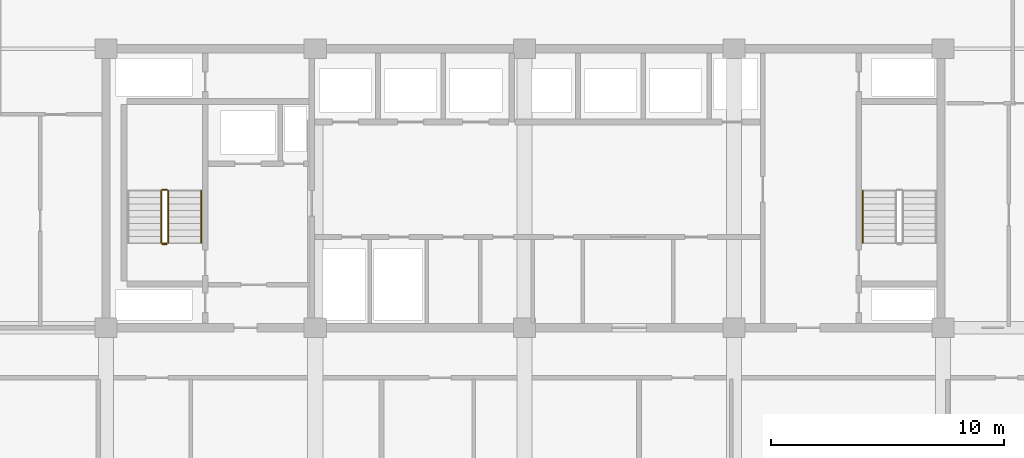
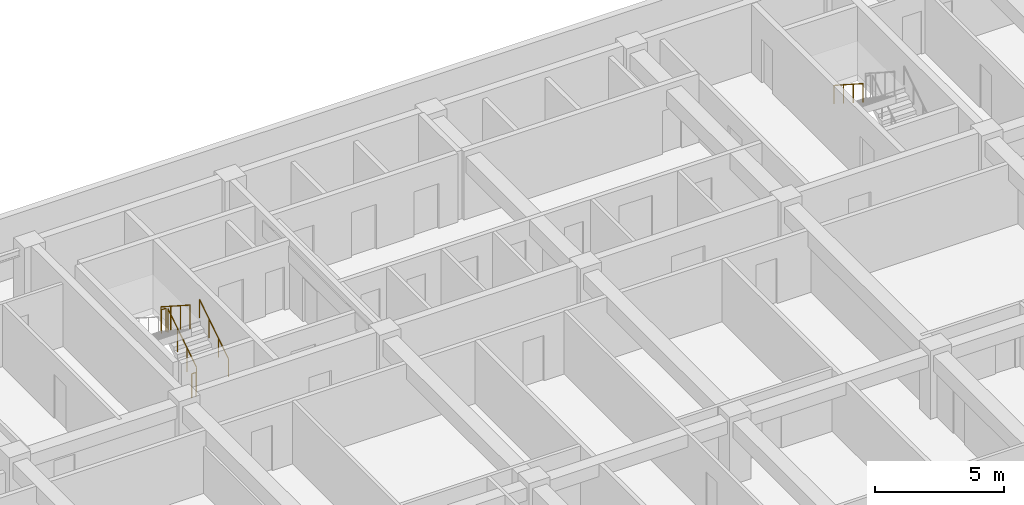
# One storey, part 20 of 23: 6 railings.
"""IFC4 building model written with IfcOpenShell, lengths in metres."""

from ifc_helpers import new_model, si_unit, direction, frame, origin, origin_2d, place, context, subcontext, project, spatial, circle, extrude, material, type_object, element, save


model = new_model("IFC4")

# Units and contexts
model_context = context("Model", 3, precision=1e-05, world=origin(), true_north=direction((0.0, 1.0)))
body_context = subcontext(model_context, "Body", "Model", "MODEL_VIEW")
ifc_project = project(units=[si_unit("LENGTHUNIT", "METRE"), si_unit("AREAUNIT", "SQUARE_METRE"), si_unit("VOLUMEUNIT", "CUBIC_METRE"), si_unit("PLANEANGLEUNIT", "RADIAN"), si_unit("MASSUNIT", "GRAM", prefix="KILO")], contexts=[model_context])

# Site, building, storey
site_placement = place(None, origin())
site = spatial("IfcSite", under=ifc_project, at=site_placement, CompositionType="ELEMENT")
building_placement = place(site_placement, origin())
building = spatial("IfcBuilding", under=site, at=building_placement, Name="Korimba Cascade Residences", CompositionType="ELEMENT")
storey_placement = place(building_placement, frame((0.0, 0.0, 27.25)))
storey = spatial("IfcBuildingStorey", under=building, at=storey_placement, Name="L06", CompositionType="ELEMENT", Elevation=27.25)

# Railings
ifc_material_1 = material(Name="Painted Steel Stairwell Guardrail", Category="steel")
railing_type_1 = type_object("IfcRailingType", Name="RLG-ST-GD1150", PredefinedType="GUARDRAIL", material=ifc_material_1)
railing_1_placement = place(storey_placement, frame((84.77001953125, 22.050048828125, 0.1806640625)))
element("IfcRailing", 1, at=railing_1_placement, inside=storey, type_object=railing_type_1, Name="L06 ST-E1 stair guard 1", PredefinedType="GUARDRAIL", context=body_context, shape_type="SweptSolid", body=[
    extrude(circle(Radius=0.02392578125, at=origin_2d()), frame((0.0, 0.0, 1.1259765625), z_axis=(0.0, 0.840436612492, 0.541909863706), x_axis=(-1.0, 0.0, 0.0)), (0.0, 0.0, 1.0), 2.665283203125),
    extrude(circle(Radius=0.02099609375, at=origin_2d()), origin(), (0.0, 0.0, 1.0), 1.101806640625),
    extrude(circle(Radius=0.02099609375, at=origin_2d()), frame((0.0, 0.74658203125, 0.4814453125)), (0.0, 0.0, 1.0), 1.101806640625),
    extrude(circle(Radius=0.02099609375, at=origin_2d()), frame((0.0, 1.493408203125, 0.962890625)), (0.0, 0.0, 1.0), 1.101806640625),
    extrude(circle(Radius=0.02099609375, at=origin_2d()), frame((0.0, 2.239990234375, 1.4443359375)), (0.0, 0.0, 1.0), 1.101806640625),
])
railing_2_placement = place(storey_placement, frame((84.719970703125, 24.340087890625, 1.625)))
element("IfcRailing", 2, at=railing_2_placement, inside=storey, type_object=railing_type_1, Name="L06 ST-E1 stair guard 2", PredefinedType="GUARDRAIL", context=body_context, shape_type="SweptSolid", body=[
    extrude(circle(Radius=0.02392578125, at=origin_2d()), frame((0.0, 0.0, 1.1259765625), z_axis=(-1.0, 0.0, 0.0), x_axis=(0.0, -1.0, 0.0)), (0.0, 0.0, 1.0), 0.199951171875),
    extrude(circle(Radius=0.02099609375, at=origin_2d()), origin(), (0.0, 0.0, 1.0), 1.101806640625),
    extrude(circle(Radius=0.02099609375, at=origin_2d()), frame((-0.199951171875, 0.0, 0.0)), (0.0, 0.0, 1.0), 1.101806640625),
])
railing_3_placement = place(storey_placement, frame((84.469970703125, 24.2900390625, 1.8056640625)))
element("IfcRailing", 3, at=railing_3_placement, inside=storey, type_object=railing_type_1, Name="L06 ST-E1 stair guard 3", PredefinedType="GUARDRAIL", context=body_context, shape_type="SweptSolid", body=[
    extrude(circle(Radius=0.02392578125, at=origin_2d()), frame((0.0, 0.0, 1.1259765625), z_axis=(0.0, -0.840436612492, 0.541909863706), x_axis=(1.0, 0.0, 0.0)), (0.0, 0.0, 1.0), 2.665283203125),
    extrude(circle(Radius=0.02099609375, at=origin_2d()), origin(), (0.0, 0.0, 1.0), 1.101806640625),
    extrude(circle(Radius=0.02099609375, at=origin_2d()), frame((0.0, -0.74658203125, 0.4814453125)), (0.0, 0.0, 1.0), 1.101806640625),
    extrude(circle(Radius=0.02099609375, at=origin_2d()), frame((0.0, -1.493408203125, 0.962890625)), (0.0, 0.0, 1.0), 1.101806640625),
    extrude(circle(Radius=0.02099609375, at=origin_2d()), frame((0.0, -2.239990234375, 1.4443359375)), (0.0, 0.0, 1.0), 1.101806640625),
])
railing_4_placement = place(storey_placement, frame((84.719970703125, 22.0, 0.0)))
element("IfcRailing", 4, at=railing_4_placement, inside=storey, type_object=railing_type_1, Name="L06 ST-E1 stair guard 4", PredefinedType="GUARDRAIL", context=body_context, shape_type="SweptSolid", body=[
    extrude(circle(Radius=0.02392578125, at=origin_2d()), frame((0.0, 0.0, 1.1259765625), z_axis=(-1.0, 0.0, 0.0), x_axis=(0.0, -1.0, 0.0)), (0.0, 0.0, 1.0), 0.199951171875),
    extrude(circle(Radius=0.02099609375, at=origin_2d()), origin(), (0.0, 0.0, 1.0), 1.101806640625),
    extrude(circle(Radius=0.02099609375, at=origin_2d()), frame((-0.199951171875, 0.0, 0.0)), (0.0, 0.0, 1.0), 1.101806640625),
])
ifc_material_2 = material(Name="Brushed Stainless Steel Handrail", Category="steel")
railing_type_2 = type_object("IfcRailingType", Name="RLG-ST-HR900", PredefinedType="HANDRAIL", material=ifc_material_2)
railing_5_placement = place(storey_placement, frame((86.18994140625, 22.050048828125, 0.364990234375)))
element("IfcRailing", 5, at=railing_5_placement, inside=storey, type_object=railing_type_2, Name="L06 ST-E1 stair handrail 1", PredefinedType="HANDRAIL", context=body_context, shape_type="SweptSolid", body=[
    extrude(circle(Radius=0.02392578125, at=origin_2d()), frame((0.0, 0.0, 0.8759765625), z_axis=(0.0, 0.840436612492, 0.541909863706), x_axis=(-1.0, 0.0, 0.0)), (0.0, 0.0, 1.0), 2.665283203125),
    extrude(circle(Radius=0.02099609375, at=origin_2d()), origin(), (0.0, 0.0, 1.0), 0.851806640625),
    extrude(circle(Radius=0.02099609375, at=origin_2d()), frame((0.0, 0.74658203125, 0.4814453125)), (0.0, 0.0, 1.0), 0.851806640625),
    extrude(circle(Radius=0.02099609375, at=origin_2d()), frame((0.0, 1.493408203125, 0.962890625)), (0.0, 0.0, 1.0), 0.851806640625),
    extrude(circle(Radius=0.02099609375, at=origin_2d()), frame((0.0, 2.239990234375, 1.4443359375)), (0.0, 0.0, 1.0), 0.851806640625),
])
railing_6_placement = place(storey_placement, frame((114.64990234375, 24.2900390625, 1.989990234375)))
element("IfcRailing", 6, at=railing_6_placement, inside=storey, type_object=railing_type_2, Name="L06 ST-E2 stair handrail 2", PredefinedType="HANDRAIL", context=body_context, shape_type="SweptSolid", body=[
    extrude(circle(Radius=0.02392578125, at=origin_2d()), frame((0.0, 0.0, 0.8759765625), z_axis=(0.0, -0.840436612492, 0.541909863706), x_axis=(1.0, 0.0, 0.0)), (0.0, 0.0, 1.0), 2.665283203125),
    extrude(circle(Radius=0.02099609375, at=origin_2d()), origin(), (0.0, 0.0, 1.0), 0.851806640625),
    extrude(circle(Radius=0.02099609375, at=origin_2d()), frame((0.0, -0.74658203125, 0.4814453125)), (0.0, 0.0, 1.0), 0.851806640625),
    extrude(circle(Radius=0.02099609375, at=origin_2d()), frame((0.0, -1.493408203125, 0.962890625)), (0.0, 0.0, 1.0), 0.851806640625),
    extrude(circle(Radius=0.02099609375, at=origin_2d()), frame((0.0, -2.239990234375, 1.4443359375)), (0.0, 0.0, 1.0), 0.851806640625),
])

save(model, "model.ifc")
